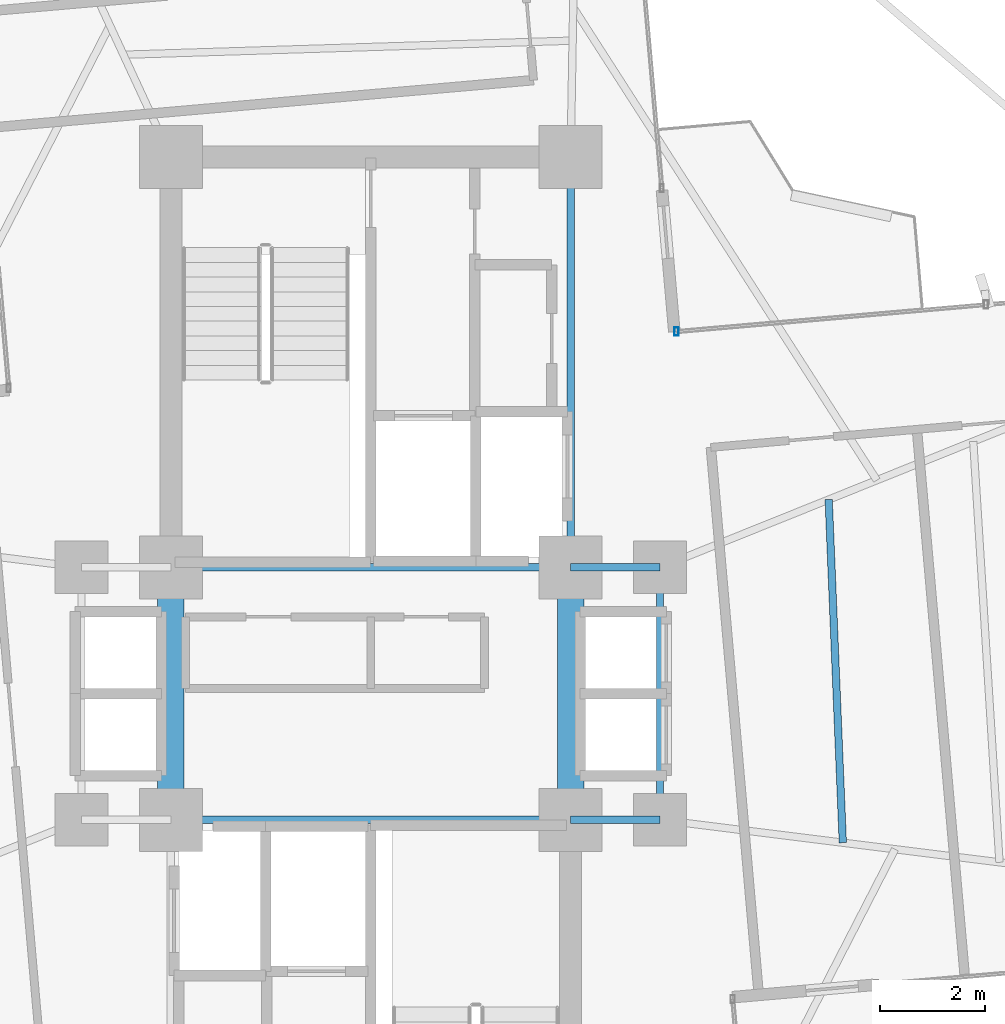
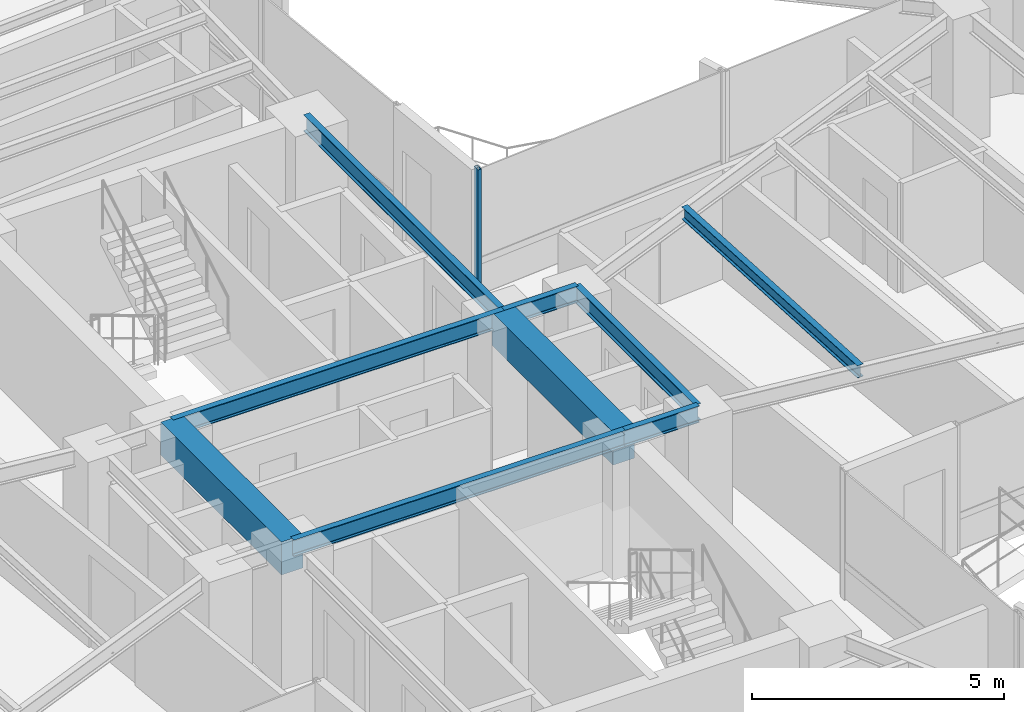
# One storey, part 11 of 24: 9 beams, 1 member, 1 element without a shape of its own.
"""IFC4 building model written with IfcOpenShell, lengths in metres."""

from ifc_helpers import new_model, si_unit, direction, frame, origin, origin_2d, place, context, subcontext, project, spatial, rectangle, hollow_rectangle, i_section, extrude, source, transform, mapped, material, material_profile, profile_set, type_object, element, aggregate, save


model = new_model("IFC4")

# Units and contexts
model_context = context("Model", 3, precision=1e-05, world=origin(), true_north=direction((0.0, 1.0)))
body_context = subcontext(model_context, "Body", "Model", "MODEL_VIEW")
ifc_project = project(units=[si_unit("LENGTHUNIT", "METRE"), si_unit("AREAUNIT", "SQUARE_METRE"), si_unit("VOLUMEUNIT", "CUBIC_METRE"), si_unit("PLANEANGLEUNIT", "RADIAN"), si_unit("MASSUNIT", "GRAM", prefix="KILO")], contexts=[model_context])

# Site, building, storey
site_placement = place(None, origin())
site = spatial("IfcSite", under=ifc_project, at=site_placement, CompositionType="ELEMENT")
building_placement = place(site_placement, origin())
building = spatial("IfcBuilding", under=site, at=building_placement, Name="Sahyath Konkavel Grand Hotel", CompositionType="ELEMENT")
storey_placement = place(building_placement, frame((0.0, 0.0, 175.199951171875)))
storey = spatial("IfcBuildingStorey", under=building, at=storey_placement, Name="L48", CompositionType="ELEMENT", Elevation=175.199951171875)

# Beams
ifc_material_1 = material(Name="Steel E350", Category="steel")
ifc_material_profile_1 = material_profile(ifc_material_1, i_section(OverallWidth=0.139892578125, OverallDepth=0.39990234375, WebThickness=0.0087890625, FlangeThickness=0.01611328125, FilletRadius=0.013916015625, at=origin_2d()), Name="ISMB 400")
ifc_profile_set_1 = profile_set([ifc_material_profile_1], Name="Steel E350")
beam_type_1 = type_object("IfcBeamType", Name="BM-ISMB400", PredefinedType="BEAM", material=ifc_profile_set_1)
shared_shape_1 = source(origin(), body_context, "Body", "SweptSolid", [
    extrude(i_section(OverallWidth=0.139892578125, OverallDepth=0.39990234375, WebThickness=0.0087890625, FlangeThickness=0.01611328125, FilletRadius=0.013916015625, at=origin_2d()), origin(), (0.0, 0.0, 1.0), 7.60009765625),
])
for number, where, z_axis, x_axis, name in (
    (1, (-3.800048828125, 2.39990234375, 2.91015625), (1.0, 0.0, 0.0), (0.0, 1.0, 0.0), "str:bm:L48:NC-S"),
    (2, (-3.800048828125, -2.39990234375, 2.91015625), (1.0, 0.0, 0.0), (0.0, 1.0, 0.0), "str:bm:L48:SC-N"),
):
    element("IfcBeam", number, at=place(storey_placement, frame(where, z_axis=z_axis, x_axis=x_axis)), inside=storey, type_object=beam_type_1, Name=name, PredefinedType="BEAM", context=body_context, shape_type="MappedRepresentation", body=[
        mapped(shared_shape_1, transform((0.0, 0.0, 0.0), scale=1.0)),
    ])
shared_shape_2 = source(origin(), body_context, "Body", "SweptSolid", [
    extrude(i_section(OverallWidth=0.139892578125, OverallDepth=0.39990234375, WebThickness=0.0087890625, FlangeThickness=0.01611328125, FilletRadius=0.013916015625, at=origin_2d()), origin(), (0.0, 0.0, 1.0), 7.800048828125),
])
beam_1_placement = place(storey_placement, frame((3.800048828125, 2.39990234375, 2.91015625), z_axis=(0.0, 1.0, 0.0), x_axis=(-1.0, 0.0, 0.0)))
element("IfcBeam", 3, at=beam_1_placement, inside=storey, type_object=beam_type_1, Name="str:bm:L48:NC-E", PredefinedType="BEAM", context=body_context, shape_type="MappedRepresentation", body=[
    mapped(shared_shape_2, transform((0.0, 0.0, 0.0), scale=1.0)),
])
shared_shape_3 = source(origin(), body_context, "Body", "SweptSolid", [
    extrude(i_section(OverallWidth=0.139892578125, OverallDepth=0.39990234375, WebThickness=0.0087890625, FlangeThickness=0.01611328125, FilletRadius=0.013916015625, at=origin_2d()), origin(), (0.0, 0.0, 1.0), 1.699951171875),
])
for number, where, z_axis, x_axis, name in (
    (4, (3.800048828125, 2.39990234375, 2.91015625), (1.0, 0.0, 0.0), (0.0, 1.0, 0.0), "str:bm:L48:HB-NE"),
    (5, (3.800048828125, -2.39990234375, 2.91015625), (1.0, 0.0, 0.0), (0.0, 1.0, 0.0), "str:bm:L48:HB-SE"),
):
    element("IfcBeam", number, at=place(storey_placement, frame(where, z_axis=z_axis, x_axis=x_axis)), inside=storey, type_object=beam_type_1, Name=name, PredefinedType="BEAM", context=body_context, shape_type="MappedRepresentation", body=[
        mapped(shared_shape_3, transform((0.0, 0.0, 0.0), scale=1.0)),
    ])
shared_shape_4 = source(origin(), body_context, "Body", "SweptSolid", [
    extrude(i_section(OverallWidth=0.139892578125, OverallDepth=0.39990234375, WebThickness=0.0087890625, FlangeThickness=0.01611328125, FilletRadius=0.013916015625, at=origin_2d()), origin(), (0.0, 0.0, 1.0), 4.7998046875),
])
beam_2_placement = place(storey_placement, frame((5.5, -2.39990234375, 2.91015625), z_axis=(0.0, 1.0, 0.0), x_axis=(-1.0, 0.0, 0.0)))
element("IfcBeam", 6, at=beam_2_placement, inside=storey, type_object=beam_type_1, Name="str:bm:L48:HB-E", PredefinedType="BEAM", context=body_context, shape_type="MappedRepresentation", body=[
    mapped(shared_shape_4, transform((0.0, 0.0, 0.0), scale=1.0)),
])
ifc_material_2 = material(Name="Concrete C50/60", Category="concrete")
ifc_material_profile_2 = material_profile(ifc_material_2, rectangle(XDim=0.5, YDim=0.800048828125, at=origin_2d()), Name="RC 500x800")
ifc_profile_set_2 = profile_set([ifc_material_profile_2], Name="Concrete C50/60")
beam_type_2 = type_object("IfcBeamType", Name="BM-CB500x800", PredefinedType="LINTEL", material=ifc_profile_set_2)
shared_shape_5 = source(origin(), body_context, "Body", "SweptSolid", [
    extrude(rectangle(XDim=0.5, YDim=0.800048828125, at=origin_2d()), origin(), (0.0, 0.0, 1.0), 4.7998046875),
])
for number, where, z_axis, x_axis, name in (
    (7, (-3.800048828125, -2.39990234375, 2.7099609375), (0.0, 1.0, 0.0), (-1.0, 0.0, 0.0), "L48 Split-Core Coupling Beam West"),
    (8, (3.800048828125, -2.39990234375, 2.7099609375), (0.0, 1.0, 0.0), (-1.0, 0.0, 0.0), "L48 Split-Core Coupling Beam East"),
):
    element("IfcBeam", number, at=place(storey_placement, frame(where, z_axis=z_axis, x_axis=x_axis)), inside=storey, type_object=beam_type_2, Name=name, PredefinedType="LINTEL", context=body_context, shape_type="MappedRepresentation", body=[
        mapped(shared_shape_5, transform((0.0, 0.0, 0.0), scale=1.0)),
    ])
ifc_material_profile_3 = material_profile(ifc_material_1, i_section(OverallWidth=0.139892578125, OverallDepth=0.300048828125, WebThickness=0.0078125, FlangeThickness=0.01318359375, FilletRadius=0.013916015625, at=origin_2d()), Name="ISMB 300")
ifc_profile_set_3 = profile_set([ifc_material_profile_3], Name="Steel E350")
beam_type_3 = type_object("IfcBeamType", Name="BM-ISMB300", PredefinedType="BEAM", material=ifc_profile_set_3)
shared_shape_6 = source(origin(), body_context, "Body", "SweptSolid", [
    extrude(i_section(OverallWidth=0.139892578125, OverallDepth=0.300048828125, WebThickness=0.0078125, FlangeThickness=0.01318359375, FilletRadius=0.013916015625, at=origin_2d()), origin(), (0.0, 0.0, 1.0), 6.530029296875),
])
beam_3_placement = place(storey_placement, frame((8.9755859375, -2.835205078125, 2.9599609375), z_axis=(-0.04112667768, 0.999153940283, 0.0), x_axis=(-0.999153940283, -0.04112667768, 0.0)))
element("IfcBeam", 9, at=beam_3_placement, inside=storey, type_object=beam_type_3, Name="L48 Secondary Floor Beam E-1", PredefinedType="BEAM", context=body_context, shape_type="MappedRepresentation", body=[
    mapped(shared_shape_6, transform((0.0, 0.0, 0.0), scale=1.0)),
])

# Curtain wall, member
ifc_material_3 = material(Name="Anodised Bronze Aluminium & Low-E Glazing", Category="aluminium")
curtain_wall_type = type_object("IfcCurtainWallType", Name="CW-ZONE3", PredefinedType="NOTDEFINED", material=ifc_material_3)
curtain_wall_placement = place(storey_placement, origin())
curtain_wall = element("IfcCurtainWall", 10, at=curtain_wall_placement, inside=storey, type_object=curtain_wall_type, Name="L48 Unitised Curtain Wall F7", PredefinedType="NOTDEFINED")
ifc_material_4 = material(Name="Anodised Bronze Aluminium", Category="aluminium")
ifc_material_profile_4 = material_profile(ifc_material_4, hollow_rectangle(XDim=0.080078125, YDim=0.159912109375, WallThickness=0.006103515625, at=origin_2d()), Name="RHS 160x80x6")
ifc_profile_set_4 = profile_set([ifc_material_profile_4], Name="Anodised Bronze Aluminium")
member_type = type_object("IfcMemberType", Name="CW-MUL-160", PredefinedType="MULLION", material=ifc_profile_set_4)
shared_shape_7 = source(origin(), body_context, "Body", "SweptSolid", [
    extrude(hollow_rectangle(XDim=0.080078125, YDim=0.159912109375, WallThickness=0.006103515625, at=origin_2d()), origin(), (0.0, 0.0, 1.0), 3.110107421875),
])
member_placement = place(storey_placement, frame((5.812255859375, 6.8828125, 0.0), z_axis=(0.0, 0.0, 1.0), x_axis=(1.0, 0.0, 0.0)))
member = element("IfcMember", 11, at=member_placement, type_object=member_type, Name="L48 Curtain Wall Mullion F7-2", PredefinedType="MULLION", context=body_context, shape_type="MappedRepresentation", body=[
    mapped(shared_shape_7, transform((0.0, 0.0, 0.0), scale=1.0)),
])
aggregate(curtain_wall, [member])

save(model, "model.ifc")
